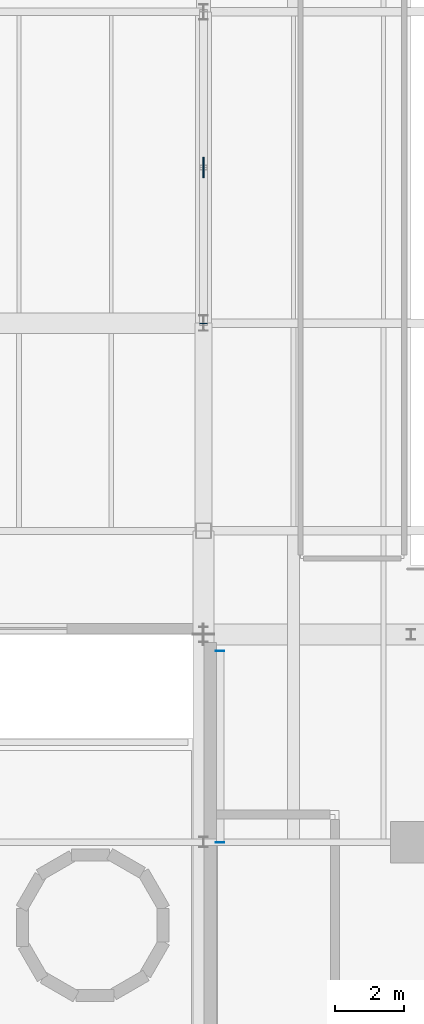
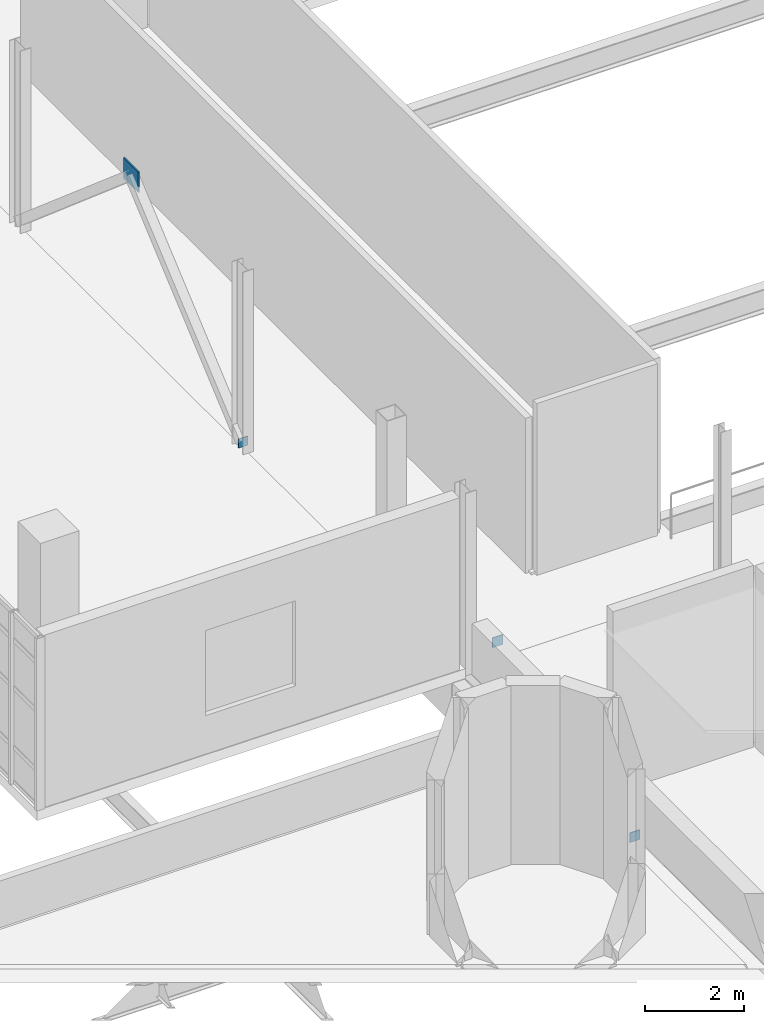
# One storey, part 63 of 85: 4 plates.
"""IFC4 building model written with IfcOpenShell, lengths in metres."""

from ifc_helpers import new_model, si_unit, derived_unit, direction, frame, origin, origin_2d, place, context, subcontext, project, spatial, rectangle, extrude, material, layer, layer_set, type_object, element, save


model = new_model("IFC4")

# Units and contexts
model_context = context("Model", 3, precision=1e-05, world=origin(), true_north=direction((0.0, 1.0)))
body_context = subcontext(model_context, "Body", "Model", "MODEL_VIEW")
ifc_project = project(units=[si_unit("LENGTHUNIT", "METRE"), si_unit("AREAUNIT", "SQUARE_METRE"), si_unit("VOLUMEUNIT", "CUBIC_METRE"), si_unit("PLANEANGLEUNIT", "RADIAN"), si_unit("MASSUNIT", "GRAM", prefix="KILO"), derived_unit("THERMALTRANSMITTANCEUNIT", [(si_unit("POWERUNIT", "WATT"), 1), (si_unit("LENGTHUNIT", "METRE"), -2), (si_unit("THERMODYNAMICTEMPERATUREUNIT", "KELVIN"), -1)])], contexts=[model_context])

# Site, building, storey
site_placement = place(None, origin())
site = spatial("IfcSite", under=ifc_project, at=site_placement, CompositionType="ELEMENT")
building_placement = place(site_placement, origin())
building = spatial("IfcBuilding", under=site, at=building_placement, Name="Nallur Shell Playhouse", CompositionType="ELEMENT")
storey_placement = place(building_placement, frame((0.0, 0.0, 19.800048828125)))
storey = spatial("IfcBuildingStorey", under=building, at=storey_placement, Name="L05", CompositionType="ELEMENT", Elevation=19.800048828125)

# Plates
ifc_material = material(Name="Steel E350", Category="steel")
ifc_layer_1 = layer(ifc_material, 0.02001953125)
ifc_layer_set_1 = layer_set([ifc_layer_1], Name="Steel E350")
plate_type_1 = type_object("IfcPlateType", Name="PT-ENDCAP-20", PredefinedType="SHEET", material=ifc_layer_set_1)
for number, where, z_axis, x_axis, name in (
    (1, (64.47998046875, 40.990234375, -0.7724609375), (0.0, 0.0, 1.0), (1.0, 0.0, 0.0), "Hollow end cap EC-GBD-L05-2-A"),
    (2, (64.47998046875, 46.52978515625, 0.6826171875), (0.0, 0.0, 1.0), (1.0, 0.0, 0.0), "Hollow end cap EC-GBD-L05-2-B"),
):
    element("IfcPlate", number, at=place(storey_placement, frame(where, z_axis=z_axis, x_axis=x_axis)), inside=storey, type_object=plate_type_1, Name=name, PredefinedType="SHEET", context=body_context, shape_type="SweptSolid", body=[
        extrude(rectangle(XDim=0.239990234375, YDim=0.02001953125, at=origin_2d()), origin(), (0.0, 0.0, 1.0), 0.239990234375),
    ])
plate_1_placement = place(storey_placement, frame((64.0, 55.992431640625, 0.03369140625), z_axis=(0.0, 0.0, 1.0), x_axis=(1.0, 0.0, 0.0)))
element("IfcPlate", 3, at=plate_1_placement, inside=storey, type_object=plate_type_1, Name="Hollow end cap EC-BR-FT-L05-033-0", PredefinedType="SHEET", context=body_context, shape_type="SweptSolid", body=[
    extrude(rectangle(XDim=0.219970703125, YDim=0.02001953125, at=origin_2d()), origin(), (0.0, 0.0, 1.0), 0.219970703125),
])
ifc_layer_2 = layer(ifc_material, 0.034912109375)
ifc_layer_set_2 = layer_set([ifc_layer_2], Name="Steel E350")
plate_type_2 = type_object("IfcPlateType", Name="PT-GUSSET-35", PredefinedType="USERDEFINED", material=ifc_layer_set_2)
plate_2_placement = place(storey_placement, frame((64.0, 60.5, 3.75), z_axis=(0.0, 0.0, 1.0), x_axis=(1.0, 0.0, 0.0)))
element("IfcPlate", 4, at=plate_2_placement, inside=storey, type_object=plate_type_2, Name="Fly tower chevron node gusset plate TN-02 (L05)", ObjectType="GUSSET PLATE", PredefinedType="USERDEFINED", context=body_context, shape_type="SweptSolid", body=[
    extrude(rectangle(XDim=0.034912109375, YDim=0.60009765625, at=origin_2d()), origin(), (0.0, 0.0, 1.0), 0.5),
])

save(model, "model.ifc")
